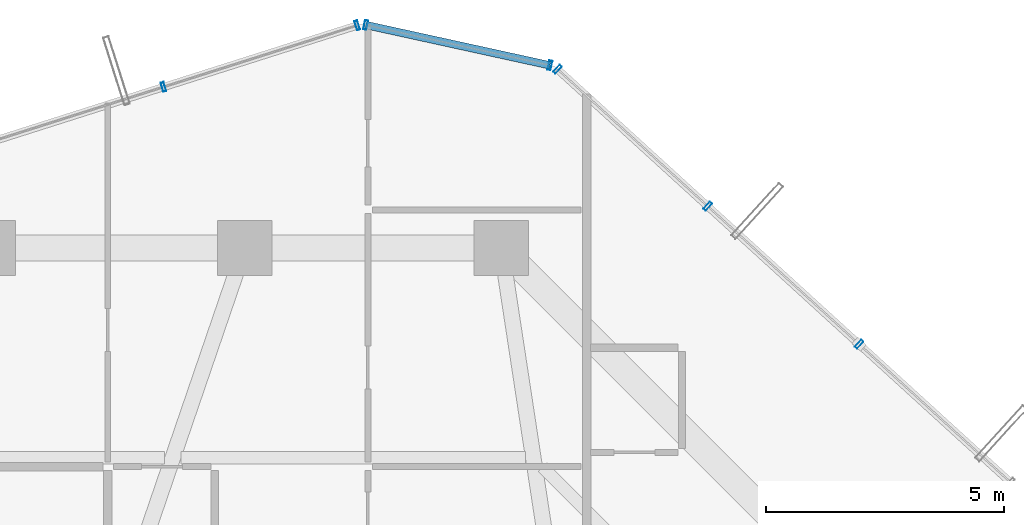
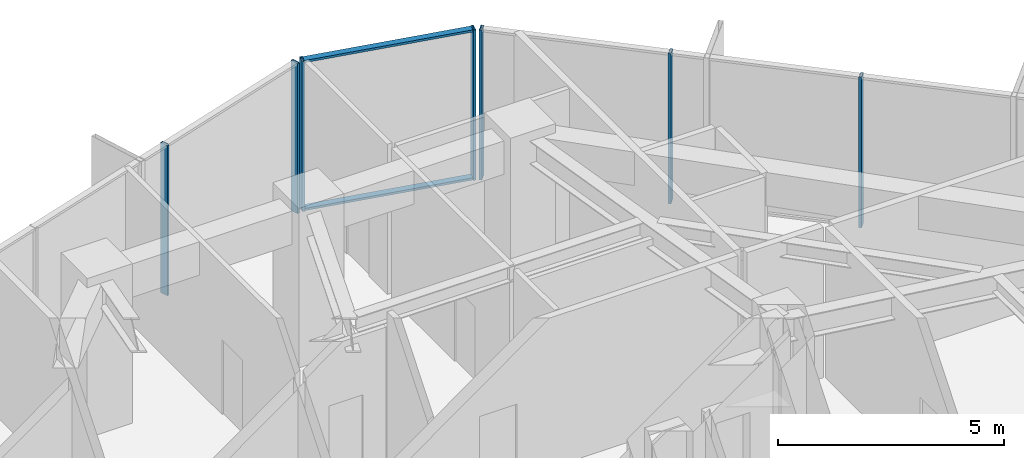
# One storey, part 19 of 28: 9 members, 3 elements without a shape of their own.
"""IFC4 building model written with IfcOpenShell, lengths in metres."""

from ifc_helpers import new_model, si_unit, direction, frame, origin, origin_2d, place, context, subcontext, project, spatial, hollow_rectangle, extrude, source, transform, mapped, material, layer, layer_set, material_profile, profile_set, type_object, element, aggregate, save


model = new_model("IFC4")

# Units and contexts
model_context = context("Model", 3, precision=1e-05, world=origin(), true_north=direction((0.0, 1.0)))
body_context = subcontext(model_context, "Body", "Model", "MODEL_VIEW")
ifc_project = project(units=[si_unit("LENGTHUNIT", "METRE"), si_unit("AREAUNIT", "SQUARE_METRE"), si_unit("VOLUMEUNIT", "CUBIC_METRE"), si_unit("PLANEANGLEUNIT", "RADIAN"), si_unit("MASSUNIT", "GRAM", prefix="KILO")], contexts=[model_context])

# Site, building, storey
site_placement = place(None, origin())
site = spatial("IfcSite", under=ifc_project, at=site_placement, CompositionType="ELEMENT")
building_placement = place(site_placement, origin())
building = spatial("IfcBuilding", under=site, at=building_placement, Name="Veraguas Prism Commons", CompositionType="ELEMENT")
storey_placement = place(building_placement, frame((0.0, 0.0, 85.14990234375)))
storey = spatial("IfcBuildingStorey", under=building, at=storey_placement, Name="L23", CompositionType="ELEMENT", Elevation=85.14990234375)

# Curtain wall, members
ifc_material = material(Name="Anodised aluminium EN AW-6063 T6", Category="aluminium")
ifc_layer = layer(ifc_material, 0.199951171875, Name="Sky Lobby and Pool Acoustic Curtain Wall", Category="aluminium")
ifc_layer_set = layer_set([ifc_layer], Name="Anodised aluminium EN AW-6063 T6")
curtain_wall_type = type_object("IfcCurtainWallType", Name="Sky Lobby and Pool Acoustic Curtain Wall", PredefinedType="NOTDEFINED", material=ifc_layer_set)
curtain_wall_1_placement = place(storey_placement, origin())
curtain_wall_1 = element("IfcCurtainWall", 1, at=curtain_wall_1_placement, inside=storey, type_object=curtain_wall_type, Name="Tower Facade Curtain Wall L23-F1", PredefinedType="NOTDEFINED")
ifc_material_profile_1 = material_profile(ifc_material, hollow_rectangle(XDim=0.06494140625, YDim=0.199951171875, WallThickness=0.00390625, at=origin_2d()), Name="AL65X200X4")
ifc_profile_set_1 = profile_set([ifc_material_profile_1], Name="Anodised aluminium EN AW-6063 T6")
member_type_1 = type_object("IfcMemberType", Name="Curtain Wall Mullion Heavy AL 65x200x4", PredefinedType="MULLION", material=ifc_profile_set_1)
shared_shape_1 = source(origin(), body_context, "Body", "SweptSolid", [
    extrude(hollow_rectangle(XDim=0.06494140625, YDim=0.199951171875, WallThickness=0.00390625, at=origin_2d()), origin(), (0.0, 0.0, 1.0), 4.050048828125),
])
member_1_placement = place(storey_placement, frame((36.9248046875, 38.17431640625, 0.0), z_axis=(0.0, 0.0, 1.0), x_axis=(-0.738924736523, 0.673787973887, 0.0)))
member_1 = element("IfcMember", 2, at=member_1_placement, type_object=member_type_1, Name="CW-SKY Mullion 3", PredefinedType="MULLION", context=body_context, shape_type="MappedRepresentation", body=[
    mapped(shared_shape_1, transform((0.0, 0.0, 0.0), scale=1.0)),
])
member_2_placement = place(storey_placement, frame((33.7412109375, 41.077392578125, 0.0), z_axis=(0.0, 0.0, 1.0), x_axis=(-0.738924736523, 0.673787973887, 0.0)))
member_2 = element("IfcMember", 3, at=member_2_placement, type_object=member_type_1, Name="CW-SKY Mullion 4", PredefinedType="MULLION", context=body_context, shape_type="MappedRepresentation", body=[
    mapped(shared_shape_1, transform((0.0, 0.0, 0.0), scale=1.0)),
])
member_3_placement = place(storey_placement, frame((30.581298828125, 43.958740234375, 0.0), z_axis=(0.0, 0.0, 1.0), x_axis=(-0.738924736523, 0.673787973887, 0.0)))
member_3 = element("IfcMember", 4, at=member_3_placement, type_object=member_type_1, Name="CW-SKY Mullion 5", PredefinedType="MULLION", context=body_context, shape_type="MappedRepresentation", body=[
    mapped(shared_shape_1, transform((0.0, 0.0, 0.0), scale=1.0)),
])
aggregate(curtain_wall_1, [member_1, member_2, member_3])

curtain_wall_2_placement = place(storey_placement, origin())
curtain_wall_2 = element("IfcCurtainWall", 5, at=curtain_wall_2_placement, inside=storey, type_object=curtain_wall_type, Name="Tower Facade Curtain Wall L23-F2", PredefinedType="NOTDEFINED")
member_4_placement = place(storey_placement, frame((26.367919921875, 44.8818359375, 0.0), z_axis=(0.0, 0.0, 1.0), x_axis=(-0.952979341517, -0.303035269633, 0.0)))
member_4 = element("IfcMember", 6, at=member_4_placement, type_object=member_type_1, Name="CW-SKY Mullion 1", PredefinedType="MULLION", context=body_context, shape_type="MappedRepresentation", body=[
    mapped(shared_shape_1, transform((0.0, 0.0, 0.0), scale=1.0)),
])
member_5_placement = place(storey_placement, frame((22.29296875, 43.586181640625, 0.0), z_axis=(0.0, 0.0, 1.0), x_axis=(-0.952979341517, -0.303035269633, 0.0)))
member_5 = element("IfcMember", 7, at=member_5_placement, type_object=member_type_1, Name="CW-SKY Mullion 2", PredefinedType="MULLION", context=body_context, shape_type="MappedRepresentation", body=[
    mapped(shared_shape_1, transform((0.0, 0.0, 0.0), scale=1.0)),
])
aggregate(curtain_wall_2, [member_4, member_5])

curtain_wall_3_placement = place(storey_placement, origin())
curtain_wall_3 = element("IfcCurtainWall", 8, at=curtain_wall_3_placement, inside=storey, type_object=curtain_wall_type, Name="Chamfer Curtain Wall L23-C2", PredefinedType="NOTDEFINED")
member_6_placement = place(storey_placement, frame((30.4228515625, 44.040771484375, 0.0), z_axis=(0.0, 0.0, 1.0), x_axis=(-0.976817470513, 0.214073887478, 0.0)))
member_6 = element("IfcMember", 9, at=member_6_placement, type_object=member_type_1, Name="CW-SKY Mullion 1", PredefinedType="MULLION", context=body_context, shape_type="MappedRepresentation", body=[
    mapped(shared_shape_1, transform((0.0, 0.0, 0.0), scale=1.0)),
])
member_7_placement = place(storey_placement, frame((26.546630859375, 44.89013671875, 0.0), z_axis=(0.0, 0.0, 1.0), x_axis=(-0.976817470513, 0.214073887478, 0.0)))
member_7 = element("IfcMember", 10, at=member_7_placement, type_object=member_type_1, Name="CW-SKY Mullion 2", PredefinedType="MULLION", context=body_context, shape_type="MappedRepresentation", body=[
    mapped(shared_shape_1, transform((0.0, 0.0, 0.0), scale=1.0)),
])
ifc_material_profile_2 = material_profile(ifc_material, hollow_rectangle(XDim=0.06005859375, YDim=0.159912109375, WallThickness=0.0029296875, at=origin_2d()), Name="AL60X160X3")
ifc_profile_set_2 = profile_set([ifc_material_profile_2], Name="Anodised aluminium EN AW-6063 T6")
member_type_2 = type_object("IfcMemberType", Name="Curtain Wall Transom Heavy AL 60x160x3", PredefinedType="USERDEFINED", material=ifc_profile_set_2)
shared_shape_2 = source(origin(), body_context, "Body", "SweptSolid", [
    extrude(hollow_rectangle(XDim=0.06005859375, YDim=0.159912109375, WallThickness=0.0029296875, at=origin_2d()), origin(), (0.0, 0.0, 1.0), 3.96826171875),
])
member_8_placement = place(storey_placement, frame((30.4228515625, 44.040771484375, 0.030029296875), z_axis=(-0.976824096682, 0.214043650082, 0.0), x_axis=(0.0, 0.0, 1.0)))
member_8 = element("IfcMember", 11, at=member_8_placement, type_object=member_type_2, Name="CW-SKY Transom 1", ObjectType="TRANSOM", PredefinedType="USERDEFINED", context=body_context, shape_type="MappedRepresentation", body=[
    mapped(shared_shape_2, transform((0.0, 0.0, 0.0), scale=1.0)),
])
member_9_placement = place(storey_placement, frame((30.4228515625, 44.040771484375, 4.02001953125), z_axis=(-0.976824096682, 0.214043650082, 0.0), x_axis=(0.0, 0.0, 1.0)))
member_9 = element("IfcMember", 12, at=member_9_placement, type_object=member_type_2, Name="CW-SKY Transom 2", ObjectType="TRANSOM", PredefinedType="USERDEFINED", context=body_context, shape_type="MappedRepresentation", body=[
    mapped(shared_shape_2, transform((0.0, 0.0, 0.0), scale=1.0)),
])
aggregate(curtain_wall_3, [member_6, member_7, member_8, member_9])

save(model, "model.ifc")
